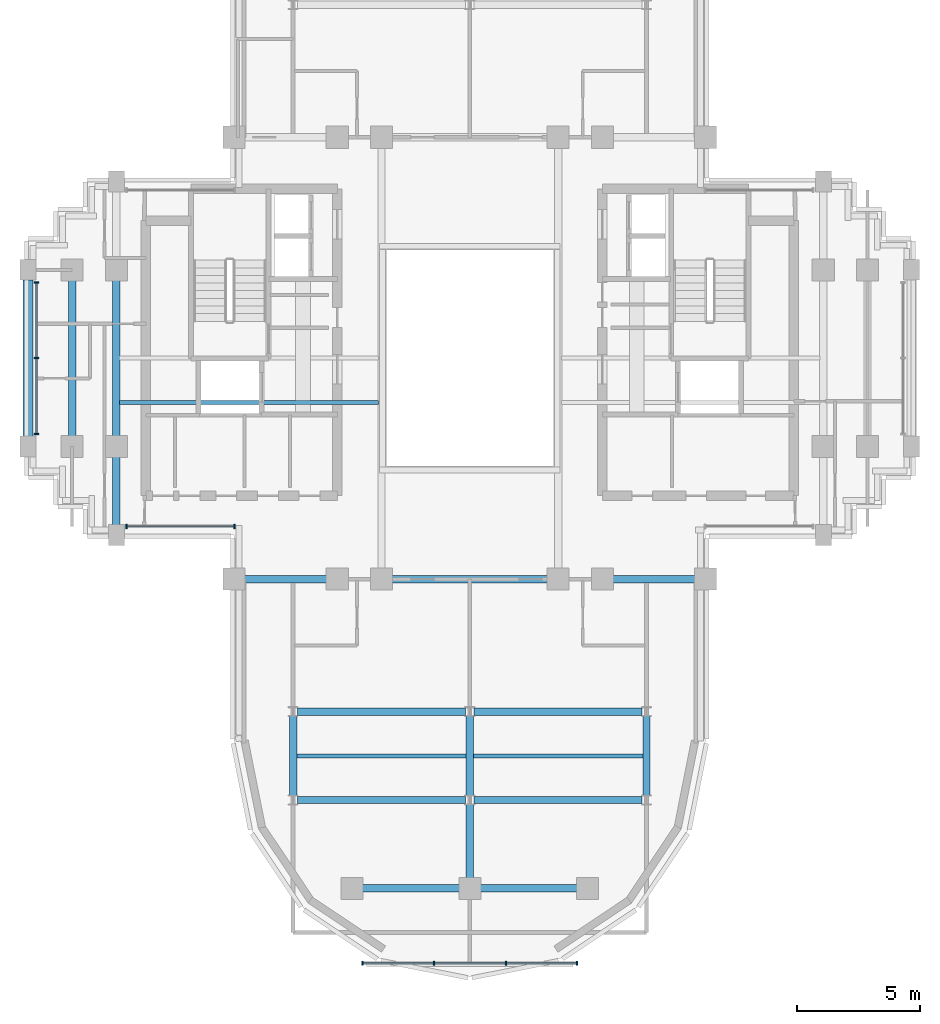
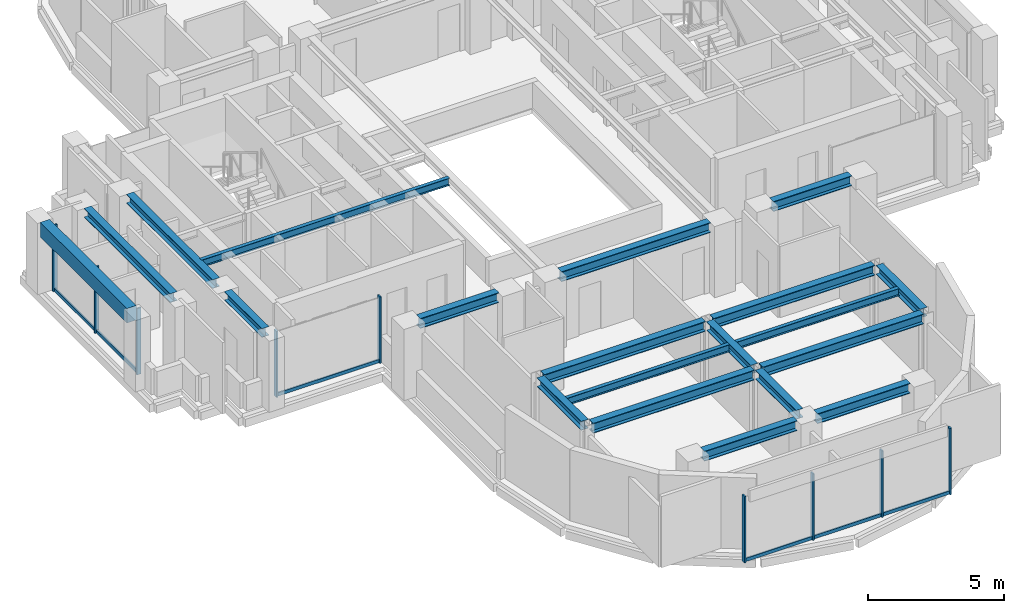
# One storey, part 2 of 12: 20 beams, 15 members, 3 elements without a shape of their own.
"""IFC4 building model written with IfcOpenShell, lengths in metres."""

from ifc_helpers import new_model, si_unit, direction, frame, origin, origin_2d, place, context, subcontext, project, spatial, rectangle, i_section, extrude, source, transform, mapped, material, material_profile, profile_set, type_object, element, aggregate, save


model = new_model("IFC4")

# Units and contexts
model_context = context("Model", 3, precision=1e-05, world=origin(), true_north=direction((0.0, 1.0)))
body_context = subcontext(model_context, "Body", "Model", "MODEL_VIEW")
ifc_project = project(units=[si_unit("LENGTHUNIT", "METRE"), si_unit("AREAUNIT", "SQUARE_METRE"), si_unit("VOLUMEUNIT", "CUBIC_METRE"), si_unit("PLANEANGLEUNIT", "RADIAN"), si_unit("MASSUNIT", "GRAM", prefix="KILO")], contexts=[model_context])

# Site, building, storey
site_placement = place(None, origin())
site = spatial("IfcSite", under=ifc_project, at=site_placement, CompositionType="ELEMENT")
building_placement = place(site_placement, origin())
building = spatial("IfcBuilding", under=site, at=building_placement, Name="Keilestroom Media Tower", CompositionType="ELEMENT")
storey_placement = place(building_placement, frame((0.0, 0.0, 187.60009765625)))
storey = spatial("IfcBuildingStorey", under=building, at=storey_placement, Name="L51", CompositionType="ELEMENT", Elevation=187.60009765625)

# Beams
ifc_material_1 = material(Name="Steel S355", Category="steel")
ifc_material_profile_1 = material_profile(ifc_material_1, i_section(OverallWidth=0.300048828125, OverallDepth=0.449951171875, WebThickness=0.011962890625, FlangeThickness=0.02587890625, at=origin_2d()), Name="HEB 450")
ifc_profile_set_1 = profile_set([ifc_material_profile_1], Name="Steel S355")
beam_type_1 = type_object("IfcBeamType", Name="Primary-Structural-Girder-HEB-450", PredefinedType="BEAM", material=ifc_profile_set_1)
shared_shape_1 = source(origin(), body_context, "Body", "SweptSolid", [
    extrude(i_section(OverallWidth=0.300048828125, OverallDepth=0.449951171875, WebThickness=0.011962890625, FlangeThickness=0.02587890625, at=origin_2d()), origin(), (0.0, 0.0, 1.0), 3.940185546875),
])
for number, where, z_axis, x_axis, name in (
    (1, (-4.3701171875, -21.60009765625, 2.974853515625), (1.0, 0.0, 0.0), (0.0, 1.0, 0.0), "L51 Beam BG-7 BM-L51-EW-001"),
    (2, (0.429931640625, -21.60009765625, 2.974853515625), (1.0, 0.0, 0.0), (0.0, 1.0, 0.0), "L51 Beam BG-7 BM-L51-EW-002"),
):
    element("IfcBeam", number, at=place(storey_placement, frame(where, z_axis=z_axis, x_axis=x_axis)), inside=storey, type_object=beam_type_1, Name=name, PredefinedType="BEAM", context=body_context, shape_type="MappedRepresentation", body=[
        mapped(shared_shape_1, transform((0.0, 0.0, 0.0), x_axis=(1.0, 0.0, 0.0), y_axis=(0.0, 1.0, 0.0), z_axis=(0.0, 0.0, 1.0), scale=1.0)),
    ])
shared_shape_2 = source(origin(), body_context, "Body", "SweptSolid", [
    extrude(i_section(OverallWidth=0.300048828125, OverallDepth=0.449951171875, WebThickness=0.011962890625, FlangeThickness=0.02587890625, at=origin_2d()), origin(), (0.0, 0.0, 1.0), 6.842041015625),
])
for number, where, z_axis, x_axis, name in (
    (3, (-7.02099609375, -18.0, 2.974853515625), (1.0, 0.0, 0.0), (0.0, 1.0, 0.0), "L51 Beam BG-7 BM-L51-EW-003"),
    (4, (0.178955078125, -18.0, 2.974853515625), (1.0, 0.0, 0.0), (0.0, 1.0, 0.0), "L51 Beam BG-7 BM-L51-EW-004"),
    (5, (-7.02099609375, -14.39990234375, 2.974853515625), (1.0, 0.0, 0.0), (0.0, 1.0, 0.0), "L51 Beam BG-7 BM-L51-EW-005"),
    (6, (0.178955078125, -14.39990234375, 2.974853515625), (1.0, 0.0, 0.0), (0.0, 1.0, 0.0), "L51 Beam BG-7 BM-L51-EW-006"),
):
    element("IfcBeam", number, at=place(storey_placement, frame(where, z_axis=z_axis, x_axis=x_axis)), inside=storey, type_object=beam_type_1, Name=name, PredefinedType="BEAM", context=body_context, shape_type="MappedRepresentation", body=[
        mapped(shared_shape_2, transform((0.0, 0.0, 0.0), x_axis=(1.0, 0.0, 0.0), y_axis=(0.0, 1.0, 0.0), z_axis=(0.0, 0.0, 1.0), scale=1.0)),
    ])
shared_shape_3 = source(origin(), body_context, "Body", "SweptSolid", [
    extrude(i_section(OverallWidth=0.300048828125, OverallDepth=0.449951171875, WebThickness=0.011962890625, FlangeThickness=0.02587890625, at=origin_2d()), origin(), (0.0, 0.0, 1.0), 3.33984375),
])
for number, where, z_axis, x_axis, name in (
    (7, (-9.169921875, -9.0, 2.974853515625), (1.0, 0.0, 0.0), (0.0, 1.0, 0.0), "L51 Beam BG-7 BM-L51-EW-007"),
    (8, (5.830078125, -9.0, 2.974853515625), (1.0, 0.0, 0.0), (0.0, 1.0, 0.0), "L51 Beam BG-7 BM-L51-EW-011"),
):
    element("IfcBeam", number, at=place(storey_placement, frame(where, z_axis=z_axis, x_axis=x_axis)), inside=storey, type_object=beam_type_1, Name=name, PredefinedType="BEAM", context=body_context, shape_type="MappedRepresentation", body=[
        mapped(shared_shape_3, transform((0.0, 0.0, 0.0), x_axis=(1.0, 0.0, 0.0), y_axis=(0.0, 1.0, 0.0), z_axis=(0.0, 0.0, 1.0), scale=1.0)),
    ])
shared_shape_4 = source(origin(), body_context, "Body", "SweptSolid", [
    extrude(i_section(OverallWidth=0.300048828125, OverallDepth=0.449951171875, WebThickness=0.011962890625, FlangeThickness=0.02587890625, at=origin_2d()), origin(), (0.0, 0.0, 1.0), 6.33984375),
])
beam_1_placement = place(storey_placement, frame((-3.169921875, -9.0, 2.974853515625), z_axis=(1.0, 0.0, 0.0), x_axis=(0.0, 1.0, 0.0)))
element("IfcBeam", 9, at=beam_1_placement, inside=storey, type_object=beam_type_1, Name="L51 Beam BG-7 BM-L51-EW-009", PredefinedType="BEAM", context=body_context, shape_type="MappedRepresentation", body=[
    mapped(shared_shape_4, transform((0.0, 0.0, 0.0), x_axis=(1.0, 0.0, 0.0), y_axis=(0.0, 1.0, 0.0), z_axis=(0.0, 0.0, 1.0), scale=1.0)),
])
ifc_material_2 = material(Name="Precast concrete C40/50", Category="concrete")
ifc_material_profile_2 = material_profile(ifc_material_2, rectangle(XDim=0.39990234375, YDim=0.64990234375, at=origin_2d()), Name="PC 400x650")
ifc_profile_set_2 = profile_set([ifc_material_profile_2], Name="Precast concrete C40/50")
beam_type_2 = type_object("IfcBeamType", Name="Perimeter-Spandrel-Beam-PC-400x650", PredefinedType="SPANDREL", material=ifc_profile_set_2)
shared_shape_5 = source(origin(), body_context, "Body", "SweptSolid", [
    extrude(rectangle(XDim=0.39990234375, YDim=0.64990234375, at=origin_2d()), origin(), (0.0, 0.0, 1.0), 6.39013671875),
])
beam_2_placement = place(storey_placement, frame((-18.0, -3.195068359375, 2.875), z_axis=(0.0, 1.0, 0.0), x_axis=(-1.0, 0.0, 0.0)))
element("IfcBeam", 10, at=beam_2_placement, inside=storey, type_object=beam_type_2, Name="L51 Beam SPB-2 BM-L51-NS-031", PredefinedType="SPANDREL", context=body_context, shape_type="MappedRepresentation", body=[
    mapped(shared_shape_5, transform((0.0, 0.0, 0.0), x_axis=(1.0, 0.0, 0.0), y_axis=(0.0, 1.0, 0.0), z_axis=(0.0, 0.0, 1.0), scale=1.0)),
])
ifc_material_profile_3 = material_profile(ifc_material_1, i_section(OverallWidth=0.300048828125, OverallDepth=0.39990234375, WebThickness=0.011474609375, FlangeThickness=0.02392578125, at=origin_2d()), Name="HEB 400")
ifc_profile_set_3 = profile_set([ifc_material_profile_3], Name="Steel S355")
beam_type_3 = type_object("IfcBeamType", Name="Primary-Structural-Girder-HEB-400", PredefinedType="BEAM", material=ifc_profile_set_3)
shared_shape_6 = source(origin(), body_context, "Body", "SweptSolid", [
    extrude(i_section(OverallWidth=0.300048828125, OverallDepth=0.39990234375, WebThickness=0.011474609375, FlangeThickness=0.02392578125, at=origin_2d()), origin(), (0.0, 0.0, 1.0), 6.33984375),
])
for number, where, z_axis, x_axis, name in (
    (11, (-16.199951171875, -3.169921875, 3.0), (0.0, 1.0, 0.0), (-1.0, 0.0, 0.0), "L51 Beam BG-8 BM-L51-NS-032"),
    (12, (-14.39990234375, -3.169921875, 3.0), (0.0, 1.0, 0.0), (-1.0, 0.0, 0.0), "L51 Beam BG-8 BM-L51-NS-034"),
):
    element("IfcBeam", number, at=place(storey_placement, frame(where, z_axis=z_axis, x_axis=x_axis)), inside=storey, type_object=beam_type_3, Name=name, PredefinedType="BEAM", context=body_context, shape_type="MappedRepresentation", body=[
        mapped(shared_shape_6, transform((0.0, 0.0, 0.0), x_axis=(1.0, 0.0, 0.0), y_axis=(0.0, 1.0, 0.0), z_axis=(0.0, 0.0, 1.0), scale=1.0)),
    ])
shared_shape_7 = source(origin(), body_context, "Body", "SweptSolid", [
    extrude(i_section(OverallWidth=0.300048828125, OverallDepth=0.39990234375, WebThickness=0.011474609375, FlangeThickness=0.02392578125, at=origin_2d()), origin(), (0.0, 0.0, 1.0), 2.764892578125),
])
beam_3_placement = place(storey_placement, frame((-14.39990234375, -6.794921875, 3.0), z_axis=(0.0, 1.0, 0.0), x_axis=(-1.0, 0.0, 0.0)))
element("IfcBeam", 13, at=beam_3_placement, inside=storey, type_object=beam_type_3, Name="L51 Beam BG-8 BM-L51-NS-033", PredefinedType="BEAM", context=body_context, shape_type="MappedRepresentation", body=[
    mapped(shared_shape_7, transform((0.0, 0.0, 0.0), x_axis=(1.0, 0.0, 0.0), y_axis=(0.0, 1.0, 0.0), z_axis=(0.0, 0.0, 1.0), scale=1.0)),
])
shared_shape_8 = source(origin(), body_context, "Body", "SweptSolid", [
    extrude(i_section(OverallWidth=0.300048828125, OverallDepth=0.39990234375, WebThickness=0.011474609375, FlangeThickness=0.02392578125, at=origin_2d()), origin(), (0.0, 0.0, 1.0), 3.2529296875),
])
for number, where, z_axis, x_axis, name in (
    (14, (-7.199951171875, -17.826416015625, 3.0), (0.0, 1.0, 0.0), (-1.0, 0.0, 0.0), "L51 Beam BG-8 BM-L51-NS-037"),
    (15, (0.0, -17.826416015625, 3.0), (0.0, 1.0, 0.0), (-1.0, 0.0, 0.0), "L51 Beam BG-8 BM-L51-NS-042"),
    (16, (7.199951171875, -17.826416015625, 3.0), (0.0, 1.0, 0.0), (-1.0, 0.0, 0.0), "L51 Beam BG-8 BM-L51-NS-047"),
):
    element("IfcBeam", number, at=place(storey_placement, frame(where, z_axis=z_axis, x_axis=x_axis)), inside=storey, type_object=beam_type_3, Name=name, PredefinedType="BEAM", context=body_context, shape_type="MappedRepresentation", body=[
        mapped(shared_shape_8, transform((0.0, 0.0, 0.0), x_axis=(1.0, 0.0, 0.0), y_axis=(0.0, 1.0, 0.0), z_axis=(0.0, 0.0, 1.0), scale=1.0)),
    ])
shared_shape_9 = source(origin(), body_context, "Body", "SweptSolid", [
    extrude(i_section(OverallWidth=0.300048828125, OverallDepth=0.39990234375, WebThickness=0.011474609375, FlangeThickness=0.02392578125, at=origin_2d()), origin(), (0.0, 0.0, 1.0), 2.996337890625),
])
beam_4_placement = place(storey_placement, frame((0.0, -21.169921875, 3.0), z_axis=(0.0, 1.0, 0.0), x_axis=(-1.0, 0.0, 0.0)))
element("IfcBeam", 17, at=beam_4_placement, inside=storey, type_object=beam_type_3, Name="L51 Beam BG-8 BM-L51-NS-041", PredefinedType="BEAM", context=body_context, shape_type="MappedRepresentation", body=[
    mapped(shared_shape_9, transform((0.0, 0.0, 0.0), x_axis=(1.0, 0.0, 0.0), y_axis=(0.0, 1.0, 0.0), z_axis=(0.0, 0.0, 1.0), scale=1.0)),
])
ifc_material_profile_4 = material_profile(ifc_material_1, i_section(OverallWidth=0.159912109375, OverallDepth=0.330078125, WebThickness=0.007568359375, FlangeThickness=0.011474609375, at=origin_2d()), Name="IPE 330")
ifc_profile_set_4 = profile_set([ifc_material_profile_4], Name="Steel S355")
beam_type_4 = type_object("IfcBeamType", Name="Secondary-Floor-Joist-IPE-330", PredefinedType="JOIST", material=ifc_profile_set_4)
shared_shape_10 = source(origin(), body_context, "Body", "SweptSolid", [
    extrude(i_section(OverallWidth=0.159912109375, OverallDepth=0.330078125, WebThickness=0.007568359375, FlangeThickness=0.011474609375, at=origin_2d()), origin(), (0.0, 0.0, 1.0), 6.940185546875),
])
for number, where, z_axis, x_axis, name in (
    (18, (-7.070068359375, -16.199951171875, 3.034912109375), (1.0, 0.0, 0.0), (0.0, 1.0, 0.0), "L51 Beam BJ-6 JST-L51-055"),
    (19, (0.1298828125, -16.199951171875, 3.034912109375), (1.0, 0.0, 0.0), (0.0, 1.0, 0.0), "L51 Beam BJ-6 JST-L51-056"),
):
    element("IfcBeam", number, at=place(storey_placement, frame(where, z_axis=z_axis, x_axis=x_axis)), inside=storey, type_object=beam_type_4, Name=name, PredefinedType="JOIST", context=body_context, shape_type="MappedRepresentation", body=[
        mapped(shared_shape_10, transform((0.0, 0.0, 0.0), x_axis=(1.0, 0.0, 0.0), y_axis=(0.0, 1.0, 0.0), z_axis=(0.0, 0.0, 1.0), scale=1.0)),
    ])
shared_shape_11 = source(origin(), body_context, "Body", "SweptSolid", [
    extrude(i_section(OverallWidth=0.159912109375, OverallDepth=0.330078125, WebThickness=0.007568359375, FlangeThickness=0.011474609375, at=origin_2d()), origin(), (0.0, 0.0, 1.0), 10.5400390625),
])
beam_5_placement = place(storey_placement, frame((-14.27001953125, -1.800048828125, 3.034912109375), z_axis=(1.0, 0.0, 0.0), x_axis=(0.0, 1.0, 0.0)))
element("IfcBeam", 20, at=beam_5_placement, inside=storey, type_object=beam_type_4, Name="L51 Beam BJ-6 JST-L51-057", PredefinedType="JOIST", context=body_context, shape_type="MappedRepresentation", body=[
    mapped(shared_shape_11, transform((0.0, 0.0, 0.0), x_axis=(1.0, 0.0, 0.0), y_axis=(0.0, 1.0, 0.0), z_axis=(0.0, 0.0, 1.0), scale=1.0)),
])

# Curtain wall, members
ifc_material_3 = material(Name="Anodised Aluminium Alloy", Category="aluminium")
curtain_wall_type_1 = type_object("IfcCurtainWallType", Name="Unitised-Curtain-Wall-CW-6", PredefinedType="NOTDEFINED", material=ifc_material_3)
curtain_wall_1_placement = place(storey_placement, origin())
curtain_wall_1 = element("IfcCurtainWall", 21, at=curtain_wall_1_placement, inside=storey, type_object=curtain_wall_type_1, Name="L51 Curtain Wall CW-6 CW-L51-LS-1", PredefinedType="NOTDEFINED")
ifc_material_profile_5 = material_profile(ifc_material_3, rectangle(XDim=0.06494140625, YDim=0.179931640625, at=origin_2d()), Name="ALU MULLION 65x180")
ifc_profile_set_5 = profile_set([ifc_material_profile_5], Name="Anodised Aluminium Alloy")
member_type_1 = type_object("IfcMemberType", Name="Curtain-Wall-Mullion-CW-6", PredefinedType="MULLION", material=ifc_profile_set_5)
shared_shape_12 = source(origin(), body_context, "Body", "SweptSolid", [
    extrude(rectangle(XDim=0.06494140625, YDim=0.179931640625, at=origin_2d()), origin(), (0.0, 0.0, 1.0), 2.97998046875),
])
member_1_placement = place(storey_placement, frame((-4.367431640625, -24.64990234375, 0.0), z_axis=(0.0, 0.0, 1.0), x_axis=(1.0, 0.0, 0.0)))
member_1 = element("IfcMember", 22, at=member_1_placement, type_object=member_type_1, Name="CW-6 Mullion 00", PredefinedType="MULLION", context=body_context, shape_type="MappedRepresentation", body=[
    mapped(shared_shape_12, transform((0.0, 0.0, 0.0), x_axis=(1.0, 0.0, 0.0), y_axis=(0.0, 1.0, 0.0), z_axis=(0.0, 0.0, 1.0), scale=1.0)),
])
member_2_placement = place(storey_placement, frame((-1.466796875, -24.64990234375, 0.0), z_axis=(0.0, 0.0, 1.0), x_axis=(1.0, 0.0, 0.0)))
member_2 = element("IfcMember", 23, at=member_2_placement, type_object=member_type_1, Name="CW-6 Mullion 01", PredefinedType="MULLION", context=body_context, shape_type="MappedRepresentation", body=[
    mapped(shared_shape_12, transform((0.0, 0.0, 0.0), x_axis=(1.0, 0.0, 0.0), y_axis=(0.0, 1.0, 0.0), z_axis=(0.0, 0.0, 1.0), scale=1.0)),
])
member_3_placement = place(storey_placement, frame((1.466796875, -24.64990234375, 0.0), z_axis=(0.0, 0.0, 1.0), x_axis=(1.0, 0.0, 0.0)))
member_3 = element("IfcMember", 24, at=member_3_placement, type_object=member_type_1, Name="CW-6 Mullion 02", PredefinedType="MULLION", context=body_context, shape_type="MappedRepresentation", body=[
    mapped(shared_shape_12, transform((0.0, 0.0, 0.0), x_axis=(1.0, 0.0, 0.0), y_axis=(0.0, 1.0, 0.0), z_axis=(0.0, 0.0, 1.0), scale=1.0)),
])
member_4_placement = place(storey_placement, frame((4.367431640625, -24.64990234375, 0.0), z_axis=(0.0, 0.0, 1.0), x_axis=(1.0, 0.0, 0.0)))
member_4 = element("IfcMember", 25, at=member_4_placement, type_object=member_type_1, Name="CW-6 Mullion 03", PredefinedType="MULLION", context=body_context, shape_type="MappedRepresentation", body=[
    mapped(shared_shape_12, transform((0.0, 0.0, 0.0), x_axis=(1.0, 0.0, 0.0), y_axis=(0.0, 1.0, 0.0), z_axis=(0.0, 0.0, 1.0), scale=1.0)),
])
ifc_material_profile_6 = material_profile(ifc_material_3, rectangle(XDim=0.06494140625, YDim=0.14990234375, at=origin_2d()), Name="ALU TRANSOM 65x150")
ifc_profile_set_6 = profile_set([ifc_material_profile_6], Name="Anodised Aluminium Alloy")
member_type_2 = type_object("IfcMemberType", Name="Curtain-Wall-Transom-CW-6", PredefinedType="USERDEFINED", material=ifc_profile_set_6)
shared_shape_13 = source(origin(), body_context, "Body", "SweptSolid", [
    extrude(rectangle(XDim=0.06494140625, YDim=0.14990234375, at=origin_2d()), origin(), (0.0, 0.0, 1.0), 2.839599609375),
])
member_5_placement = place(storey_placement, frame((-4.3369140625, -24.64990234375, 0.074951171875), z_axis=(1.0, 0.0, 0.0), x_axis=(0.0, 1.0, 0.0)))
member_5 = element("IfcMember", 26, at=member_5_placement, type_object=member_type_2, Name="CW-6 Transom 00.1", ObjectType="TRANSOM", PredefinedType="USERDEFINED", context=body_context, shape_type="MappedRepresentation", body=[
    mapped(shared_shape_13, transform((0.0, 0.0, 0.0), x_axis=(1.0, 0.0, 0.0), y_axis=(0.0, 1.0, 0.0), z_axis=(0.0, 0.0, 1.0), scale=1.0)),
])
member_6_placement = place(storey_placement, frame((1.497314453125, -24.64990234375, 0.074951171875), z_axis=(1.0, 0.0, 0.0), x_axis=(0.0, 1.0, 0.0)))
member_6 = element("IfcMember", 27, at=member_6_placement, type_object=member_type_2, Name="CW-6 Transom 02.1", ObjectType="TRANSOM", PredefinedType="USERDEFINED", context=body_context, shape_type="MappedRepresentation", body=[
    mapped(shared_shape_13, transform((0.0, 0.0, 0.0), x_axis=(1.0, 0.0, 0.0), y_axis=(0.0, 1.0, 0.0), z_axis=(0.0, 0.0, 1.0), scale=1.0)),
])
shared_shape_14 = source(origin(), body_context, "Body", "SweptSolid", [
    extrude(rectangle(XDim=0.06494140625, YDim=0.14990234375, at=origin_2d()), origin(), (0.0, 0.0, 1.0), 2.87255859375),
])
member_7_placement = place(storey_placement, frame((-1.436279296875, -24.64990234375, 0.074951171875), z_axis=(1.0, 0.0, 0.0), x_axis=(0.0, 1.0, 0.0)))
member_7 = element("IfcMember", 28, at=member_7_placement, type_object=member_type_2, Name="CW-6 Transom 01.1", ObjectType="TRANSOM", PredefinedType="USERDEFINED", context=body_context, shape_type="MappedRepresentation", body=[
    mapped(shared_shape_14, transform((0.0, 0.0, 0.0), x_axis=(1.0, 0.0, 0.0), y_axis=(0.0, 1.0, 0.0), z_axis=(0.0, 0.0, 1.0), scale=1.0)),
])
aggregate(curtain_wall_1, [member_1, member_2, member_3, member_4, member_5, member_7, member_6])

curtain_wall_type_2 = type_object("IfcCurtainWallType", Name="Unitised-Curtain-Wall-CW-3", PredefinedType="NOTDEFINED", material=ifc_material_3)
curtain_wall_2_placement = place(storey_placement, origin())
curtain_wall_2 = element("IfcCurtainWall", 29, at=curtain_wall_2_placement, inside=storey, type_object=curtain_wall_type_2, Name="L51 Curtain Wall CW-3 CW-L51-W-1", PredefinedType="NOTDEFINED")
ifc_material_profile_7 = material_profile(ifc_material_3, rectangle(XDim=0.06494140625, YDim=0.179931640625, at=origin_2d()), Name="ALU MULLION 65x180")
ifc_profile_set_7 = profile_set([ifc_material_profile_7], Name="Anodised Aluminium Alloy")
member_type_3 = type_object("IfcMemberType", Name="Curtain-Wall-Mullion-CW-3", PredefinedType="MULLION", material=ifc_profile_set_7)
shared_shape_15 = source(origin(), body_context, "Body", "SweptSolid", [
    extrude(rectangle(XDim=0.06494140625, YDim=0.179931640625, at=origin_2d()), origin(), (0.0, 0.0, 1.0), 2.97998046875),
])
member_8_placement = place(storey_placement, frame((-17.64990234375, -3.08251953125, 0.0), z_axis=(0.0, 0.0, 1.0), x_axis=(0.0, 1.0, 0.0)))
member_8 = element("IfcMember", 30, at=member_8_placement, type_object=member_type_3, Name="CW-3 Mullion 00", PredefinedType="MULLION", context=body_context, shape_type="MappedRepresentation", body=[
    mapped(shared_shape_15, transform((0.0, 0.0, 0.0), x_axis=(1.0, 0.0, 0.0), y_axis=(0.0, 1.0, 0.0), z_axis=(0.0, 0.0, 1.0), scale=1.0)),
])
member_9_placement = place(storey_placement, frame((-17.64990234375, 0.0, 0.0), z_axis=(0.0, 0.0, 1.0), x_axis=(0.0, 1.0, 0.0)))
member_9 = element("IfcMember", 31, at=member_9_placement, type_object=member_type_3, Name="CW-3 Mullion 01", PredefinedType="MULLION", context=body_context, shape_type="MappedRepresentation", body=[
    mapped(shared_shape_15, transform((0.0, 0.0, 0.0), x_axis=(1.0, 0.0, 0.0), y_axis=(0.0, 1.0, 0.0), z_axis=(0.0, 0.0, 1.0), scale=1.0)),
])
member_10_placement = place(storey_placement, frame((-17.64990234375, 3.08251953125, 0.0), z_axis=(0.0, 0.0, 1.0), x_axis=(0.0, 1.0, 0.0)))
member_10 = element("IfcMember", 32, at=member_10_placement, type_object=member_type_3, Name="CW-3 Mullion 02", PredefinedType="MULLION", context=body_context, shape_type="MappedRepresentation", body=[
    mapped(shared_shape_15, transform((0.0, 0.0, 0.0), x_axis=(1.0, 0.0, 0.0), y_axis=(0.0, 1.0, 0.0), z_axis=(0.0, 0.0, 1.0), scale=1.0)),
])

curtain_wall_3_placement = place(storey_placement, origin())
curtain_wall_3 = element("IfcCurtainWall", 33, at=curtain_wall_3_placement, inside=storey, type_object=curtain_wall_type_2, Name="L51 Curtain Wall CW-3 CW-L51-SW-1", PredefinedType="NOTDEFINED")
member_11_placement = place(storey_placement, frame((-13.982421875, -6.85009765625, 0.0), z_axis=(0.0, 0.0, 1.0), x_axis=(1.0, 0.0, 0.0)))
member_11 = element("IfcMember", 34, at=member_11_placement, type_object=member_type_3, Name="CW-3 Mullion 00", PredefinedType="MULLION", context=body_context, shape_type="MappedRepresentation", body=[
    mapped(shared_shape_15, transform((0.0, 0.0, 0.0), x_axis=(1.0, 0.0, 0.0), y_axis=(0.0, 1.0, 0.0), z_axis=(0.0, 0.0, 1.0), scale=1.0)),
])
member_12_placement = place(storey_placement, frame((-9.58251953125, -6.85009765625, 0.0), z_axis=(0.0, 0.0, 1.0), x_axis=(1.0, 0.0, 0.0)))
member_12 = element("IfcMember", 35, at=member_12_placement, type_object=member_type_3, Name="CW-3 Mullion 01", PredefinedType="MULLION", context=body_context, shape_type="MappedRepresentation", body=[
    mapped(shared_shape_15, transform((0.0, 0.0, 0.0), x_axis=(1.0, 0.0, 0.0), y_axis=(0.0, 1.0, 0.0), z_axis=(0.0, 0.0, 1.0), scale=1.0)),
])
ifc_material_profile_8 = material_profile(ifc_material_3, rectangle(XDim=0.06494140625, YDim=0.14990234375, at=origin_2d()), Name="ALU TRANSOM 65x150")
ifc_profile_set_8 = profile_set([ifc_material_profile_8], Name="Anodised Aluminium Alloy")
member_type_4 = type_object("IfcMemberType", Name="Curtain-Wall-Transom-CW-3", PredefinedType="USERDEFINED", material=ifc_profile_set_8)
shared_shape_16 = source(origin(), body_context, "Body", "SweptSolid", [
    extrude(rectangle(XDim=0.06494140625, YDim=0.14990234375, at=origin_2d()), origin(), (0.0, 0.0, 1.0), 4.3388671875),
])
member_13_placement = place(storey_placement, frame((-13.951904296875, -6.85009765625, 0.074951171875), z_axis=(1.0, 0.0, 0.0), x_axis=(0.0, 1.0, 0.0)))
member_13 = element("IfcMember", 36, at=member_13_placement, type_object=member_type_4, Name="CW-3 Transom 00.1", ObjectType="TRANSOM", PredefinedType="USERDEFINED", context=body_context, shape_type="MappedRepresentation", body=[
    mapped(shared_shape_16, transform((0.0, 0.0, 0.0), x_axis=(1.0, 0.0, 0.0), y_axis=(0.0, 1.0, 0.0), z_axis=(0.0, 0.0, 1.0), scale=1.0)),
])
aggregate(curtain_wall_3, [member_11, member_12, member_13])

# Member
shared_shape_17 = source(origin(), body_context, "Body", "SweptSolid", [
    extrude(rectangle(XDim=0.06494140625, YDim=0.14990234375, at=origin_2d()), origin(), (0.0, 0.0, 1.0), 3.021484375),
])
member_14_placement = place(storey_placement, frame((-17.64990234375, -3.052001953125, 0.074951171875), z_axis=(0.0, 1.0, 0.0), x_axis=(-1.0, 0.0, 0.0)))
member_14 = element("IfcMember", 37, at=member_14_placement, type_object=member_type_4, Name="CW-3 Transom 00.1", ObjectType="TRANSOM", PredefinedType="USERDEFINED", context=body_context, shape_type="MappedRepresentation", body=[
    mapped(shared_shape_17, transform((0.0, 0.0, 0.0), x_axis=(1.0, 0.0, 0.0), y_axis=(0.0, 1.0, 0.0), z_axis=(0.0, 0.0, 1.0), scale=1.0)),
])

member_15_placement = place(storey_placement, frame((-17.64990234375, 0.030517578125, 0.074951171875), z_axis=(0.0, 1.0, 0.0), x_axis=(-1.0, 0.0, 0.0)))
member_15 = element("IfcMember", 38, at=member_15_placement, type_object=member_type_4, Name="CW-3 Transom 01.1", ObjectType="TRANSOM", PredefinedType="USERDEFINED", context=body_context, shape_type="MappedRepresentation", body=[
    mapped(shared_shape_17, transform((0.0, 0.0, 0.0), x_axis=(1.0, 0.0, 0.0), y_axis=(0.0, 1.0, 0.0), z_axis=(0.0, 0.0, 1.0), scale=1.0)),
])

aggregate(curtain_wall_2, [member_8, member_9, member_10, member_14, member_15])

save(model, "model.ifc")
